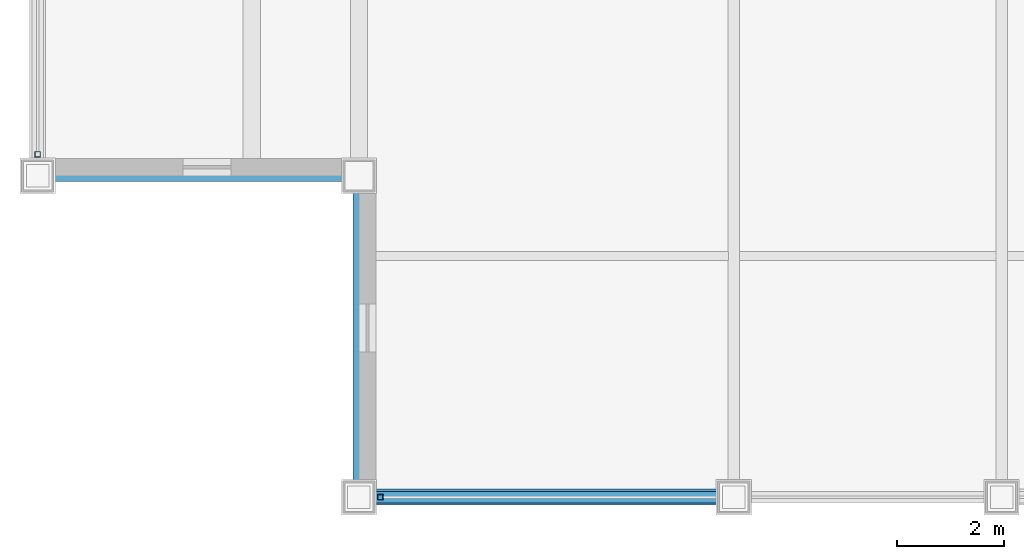
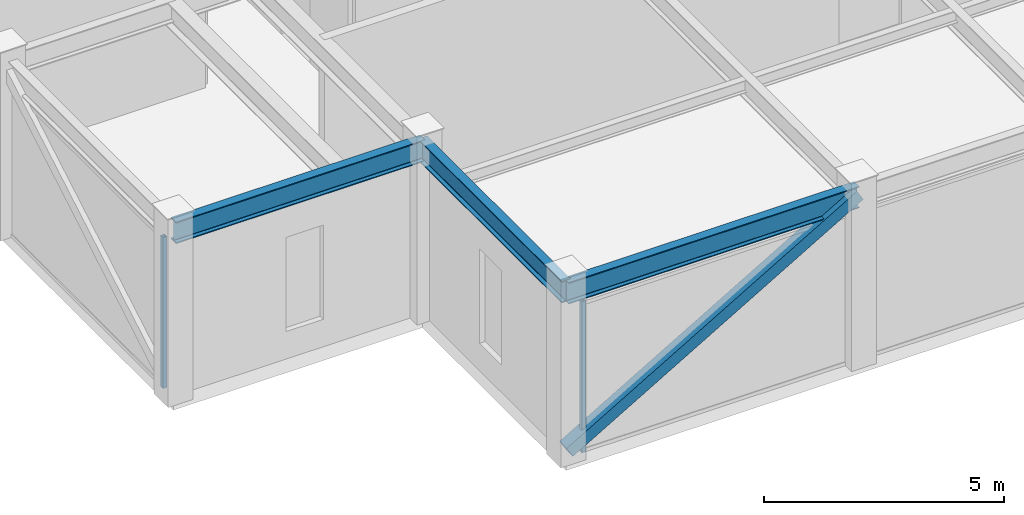
# One storey, part 2 of 27: 3 beams, 3 members, 2 elements without a shape of their own.
"""IFC4 building model written with IfcOpenShell, lengths in metres."""

from ifc_helpers import new_model, si_unit, direction, frame, origin, origin_2d, place, context, subcontext, project, spatial, hollow_rectangle, i_section, extrude, source, transform, mapped, material, material_profile, profile_set, type_object, element, aggregate, save


model = new_model("IFC4")

# Units and contexts
model_context = context("Model", 3, precision=1e-05, world=origin(), true_north=direction((0.0, 1.0)))
body_context = subcontext(model_context, "Body", "Model", "MODEL_VIEW")
ifc_project = project(units=[si_unit("LENGTHUNIT", "METRE"), si_unit("AREAUNIT", "SQUARE_METRE"), si_unit("VOLUMEUNIT", "CUBIC_METRE"), si_unit("PLANEANGLEUNIT", "RADIAN"), si_unit("MASSUNIT", "GRAM", prefix="KILO")], contexts=[model_context])

# Site, building, storey
site_placement = place(None, origin())
site = spatial("IfcSite", under=ifc_project, at=site_placement, CompositionType="ELEMENT")
building_placement = place(site_placement, origin())
building = spatial("IfcBuilding", under=site, at=building_placement, Name="Khorayat Bourse Tower", CompositionType="ELEMENT")
storey_placement = place(building_placement, frame((0.0, 0.0, 399.5)))
storey = spatial("IfcBuildingStorey", under=building, at=storey_placement, Name="L94", CompositionType="ELEMENT", Elevation=399.5)

# Beams
ifc_material_1 = material(Name="Steel ASTM A992 Grade 50", Category="steel")
ifc_material_profile_1 = material_profile(ifc_material_1, i_section(OverallWidth=0.214111328125, OverallDepth=0.549072265625, WebThickness=0.0146484375, FlangeThickness=0.023681640625, FilletRadius=0.013916015625, at=origin_2d()), Name="W530X138")
ifc_profile_set_1 = profile_set([ifc_material_profile_1], Name="Steel ASTM A992 Grade 50")
beam_type = type_object("IfcBeamType", Name="BM-SPAN-530", PredefinedType="SPANDREL", material=ifc_profile_set_1)
shared_shape_1 = source(origin(), body_context, "Body", "SweptSolid", [
    extrude(i_section(OverallWidth=0.214111328125, OverallDepth=0.549072265625, WebThickness=0.0146484375, FlangeThickness=0.023681640625, FilletRadius=0.013916015625, at=origin_2d()), origin(), (0.0, 0.0, 1.0), 6.0),
])
for number, where, z_axis, x_axis, name in (
    (1, (-24.0, -18.0, 4.2255859375), (1.0, 0.0, 0.0), (0.0, 1.0, 0.0), "L94 BM-SPAN-530 BM-L94-SPN-054"),
    (2, (-18.0, -24.0, 4.2255859375), (0.0, 1.0, 0.0), (-1.0, 0.0, 0.0), "L94 BM-SPAN-530 BM-L94-SPN-055"),
):
    element("IfcBeam", number, at=place(storey_placement, frame(where, z_axis=z_axis, x_axis=x_axis)), inside=storey, type_object=beam_type, Name=name, PredefinedType="SPANDREL", context=body_context, shape_type="MappedRepresentation", body=[
        mapped(shared_shape_1, transform((0.0, 0.0, 0.0), scale=1.0)),
    ])
shared_shape_2 = source(origin(), body_context, "Body", "SweptSolid", [
    extrude(i_section(OverallWidth=0.214111328125, OverallDepth=0.549072265625, WebThickness=0.0146484375, FlangeThickness=0.023681640625, FilletRadius=0.013916015625, at=origin_2d()), origin(), (0.0, 0.0, 1.0), 7.0),
])
beam_placement = place(storey_placement, frame((-18.0, -24.0, 4.2255859375), z_axis=(1.0, 0.0, 0.0), x_axis=(0.0, 1.0, 0.0)))
element("IfcBeam", 3, at=beam_placement, inside=storey, type_object=beam_type, Name="L94 BM-SPAN-530 BM-L94-SPN-024", PredefinedType="SPANDREL", context=body_context, shape_type="MappedRepresentation", body=[
    mapped(shared_shape_2, transform((0.0, 0.0, 0.0), scale=1.0)),
])

# Member
ifc_material_2 = material(Name="Steel EN 10025-2 S355J2", Category="steel")
ifc_material_profile_2 = material_profile(ifc_material_2, hollow_rectangle(XDim=0.300048828125, YDim=0.300048828125, WallThickness=0.01611328125, at=origin_2d()), Name="HSS 300x300x16")
ifc_profile_set_2 = profile_set([ifc_material_profile_2], Name="Steel EN 10025-2 S355J2")
member_type_1 = type_object("IfcMemberType", Name="MBR-CROWN-300", PredefinedType="USERDEFINED", material=ifc_profile_set_2)
shared_shape_3 = source(origin(), body_context, "Body", "SweptSolid", [
    extrude(hollow_rectangle(XDim=0.300048828125, YDim=0.300048828125, WallThickness=0.01611328125, at=origin_2d()), origin(), (0.0, 0.0, 1.0), 8.1123046875),
])
member_1_placement = place(storey_placement, frame((-18.0, -24.0, 0.199951171875), z_axis=(0.862878111278, 0.0, 0.505412074526), x_axis=(0.0, 1.0, 0.0)))
element("IfcMember", 4, at=member_1_placement, inside=storey, type_object=member_type_1, Name="L94 Lantern Crown Frame Member 01", ObjectType="CROWN FRAME", PredefinedType="USERDEFINED", context=body_context, shape_type="MappedRepresentation", body=[
    mapped(shared_shape_3, transform((0.0, 0.0, 0.0), scale=1.0)),
])

# Curtain wall, member
ifc_material_3 = material(Name="Aluminium EN AW-6063 T6", Category="aluminium")
curtain_wall_type = type_object("IfcCurtainWallType", Name="CW-SYS-07", PredefinedType="NOTDEFINED", material=ifc_material_3)
curtain_wall_1_placement = place(storey_placement, origin())
curtain_wall_1 = element("IfcCurtainWall", 5, at=curtain_wall_1_placement, inside=storey, type_object=curtain_wall_type, Name="L94 Curtain Wall CW-L94-S1", PredefinedType="NOTDEFINED")
ifc_material_profile_3 = material_profile(ifc_material_3, hollow_rectangle(XDim=0.10009765625, YDim=0.10009765625, WallThickness=0.0048828125, at=origin_2d()), Name="ALU 100x100x5")
ifc_profile_set_3 = profile_set([ifc_material_profile_3], Name="Aluminium EN AW-6063 T6")
member_type_2 = type_object("IfcMemberType", Name="CWM-LANTERN-100", PredefinedType="MULLION", material=ifc_profile_set_3)
shared_shape_4 = source(origin(), body_context, "Body", "SweptSolid", [
    extrude(hollow_rectangle(XDim=0.10009765625, YDim=0.10009765625, WallThickness=0.0048828125, at=origin_2d()), origin(), (0.0, 0.0, 1.0), 3.85009765625),
])
member_2_placement = place(storey_placement, frame((-17.60009765625, -24.0, 0.0), z_axis=(0.0, 0.0, 1.0), x_axis=(0.0, 1.0, 0.0)))
member_2 = element("IfcMember", 6, at=member_2_placement, type_object=member_type_2, Name="CW-L94-S1 Vertical Mullion 1", PredefinedType="MULLION", context=body_context, shape_type="MappedRepresentation", body=[
    mapped(shared_shape_4, transform((0.0, 0.0, 0.0), scale=1.0)),
])
aggregate(curtain_wall_1, [member_2])

curtain_wall_2_placement = place(storey_placement, origin())
curtain_wall_2 = element("IfcCurtainWall", 7, at=curtain_wall_2_placement, inside=storey, type_object=curtain_wall_type, Name="L94 Curtain Wall CW-L94-W1", PredefinedType="NOTDEFINED")
member_3_placement = place(storey_placement, frame((-24.0, -17.60009765625, 0.0), z_axis=(0.0, 0.0, 1.0), x_axis=(-1.0, 0.0, 0.0)))
member_3 = element("IfcMember", 8, at=member_3_placement, type_object=member_type_2, Name="CW-L94-W1 Vertical Mullion 1", PredefinedType="MULLION", context=body_context, shape_type="MappedRepresentation", body=[
    mapped(shared_shape_4, transform((0.0, 0.0, 0.0), scale=1.0)),
])
aggregate(curtain_wall_2, [member_3])

save(model, "model.ifc")
